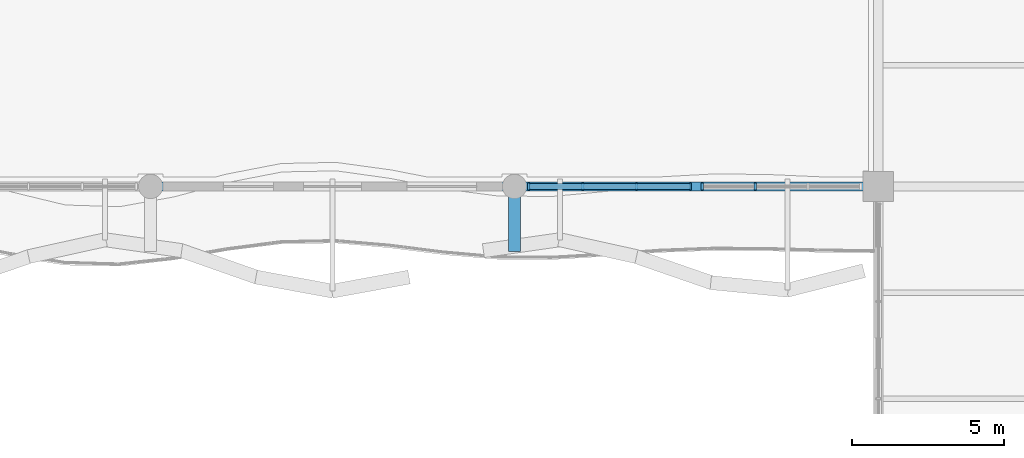
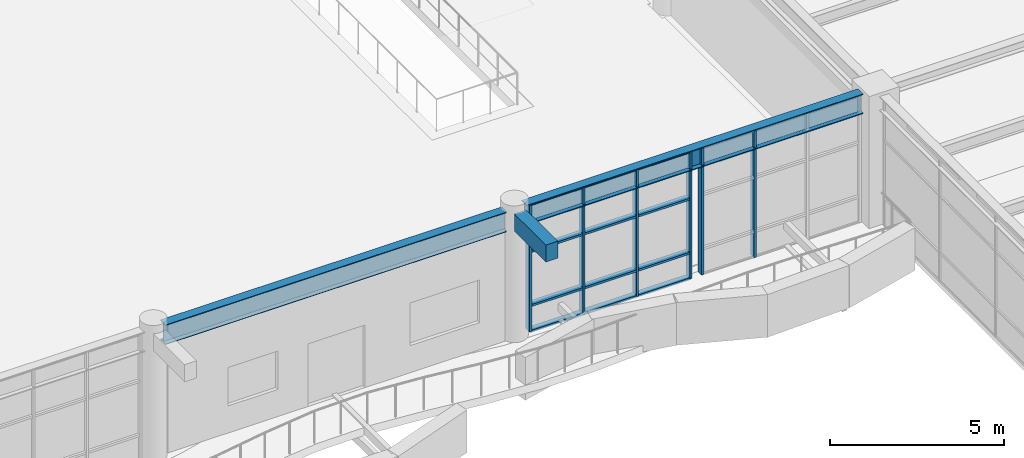
# One storey, part 17 of 72: 10 members, 3 beams, 2 elements without a shape of their own.
"""IFC4 building model written with IfcOpenShell, lengths in metres."""

from ifc_helpers import new_model, si_unit, direction, frame, origin, origin_2d, place, context, subcontext, project, spatial, rectangle, i_section, extrude, material, layer, layer_set, material_profile, profile_set, type_object, element, aggregate, save


model = new_model("IFC4")

# Units and contexts
model_context = context("Model", 3, precision=1e-05, world=origin(), true_north=direction((0.0, 1.0)))
body_context = subcontext(model_context, "Body", "Model", "MODEL_VIEW")
ifc_project = project(units=[si_unit("LENGTHUNIT", "METRE"), si_unit("AREAUNIT", "SQUARE_METRE"), si_unit("VOLUMEUNIT", "CUBIC_METRE"), si_unit("PLANEANGLEUNIT", "RADIAN"), si_unit("MASSUNIT", "GRAM", prefix="KILO")], contexts=[model_context])

# Site, building, storey
site_placement = place(None, origin())
site = spatial("IfcSite", under=ifc_project, at=site_placement, CompositionType="ELEMENT")
building_placement = place(site_placement, origin())
building = spatial("IfcBuilding", under=site, at=building_placement, Name="Keelwater Ferry Terminal", CompositionType="ELEMENT")
storey_placement = place(building_placement, frame((0.0, 0.0, 5.39990234375)))
storey = spatial("IfcBuildingStorey", under=building, at=storey_placement, Name="L01", CompositionType="ELEMENT", Elevation=5.39990234375)

# Curtain wall, members
ifc_material_1 = material(Name="Thermally broken unitised aluminium and triple glass", Category="aluminium")
ifc_layer_1 = layer(ifc_material_1, 0.179931640625)
ifc_layer_set_1 = layer_set([ifc_layer_1], Name="Thermally broken unitised aluminium and triple glass")
curtain_wall_type_1 = type_object("IfcCurtainWallType", Name="CW-02 Unitised Curtain Wall 5330x4450", PredefinedType="USERDEFINED", material=ifc_layer_set_1)
curtain_wall_1_placement = place(storey_placement, origin())
curtain_wall_1 = element("IfcCurtainWall", 1, at=curtain_wall_1_placement, inside=storey, type_object=curtain_wall_type_1, Name="Unitised Curtain Wall CW-L01-009", ObjectType="UNITISED CURTAIN WALL", PredefinedType="USERDEFINED")
ifc_material_2 = material(Name="Aluminium mullion", Category="aluminium")
ifc_material_profile_1 = material_profile(ifc_material_2, rectangle(XDim=0.074951171875, YDim=0.219970703125, at=origin_2d()), Name="CWM-02")
ifc_profile_set_1 = profile_set([ifc_material_profile_1], Name="Aluminium mullion")
member_type_1 = type_object("IfcMemberType", Name="CWM-02 Curtain Mullion 75x220", PredefinedType="MULLION", material=ifc_profile_set_1)
member_1_placement = place(storey_placement, frame((120.47509765625, 42.0, 0.0), z_axis=(0.0, 0.0, 1.0), x_axis=(1.0, 0.0, 0.0)))
member_1 = element("IfcMember", 2, at=member_1_placement, type_object=member_type_1, Name="CW-L01-009 Mullion 1", PredefinedType="MULLION", context=body_context, shape_type="SweptSolid", body=[
    extrude(rectangle(XDim=0.074951171875, YDim=0.219970703125, at=origin_2d()), origin(), (0.0, 0.0, 1.0), 4.4501953125),
])
member_2_placement = place(storey_placement, frame((122.251708984375, 42.0, 0.0), z_axis=(0.0, 0.0, 1.0), x_axis=(1.0, 0.0, 0.0)))
member_2 = element("IfcMember", 3, at=member_2_placement, type_object=member_type_1, Name="CW-L01-009 Mullion 2", PredefinedType="MULLION", context=body_context, shape_type="SweptSolid", body=[
    extrude(rectangle(XDim=0.074951171875, YDim=0.219970703125, at=origin_2d()), origin(), (0.0, 0.0, 1.0), 4.4501953125),
])
member_3_placement = place(storey_placement, frame((124.0283203125, 42.0, 0.0), z_axis=(0.0, 0.0, 1.0), x_axis=(1.0, 0.0, 0.0)))
member_3 = element("IfcMember", 4, at=member_3_placement, type_object=member_type_1, Name="CW-L01-009 Mullion 3", PredefinedType="MULLION", context=body_context, shape_type="SweptSolid", body=[
    extrude(rectangle(XDim=0.074951171875, YDim=0.219970703125, at=origin_2d()), origin(), (0.0, 0.0, 1.0), 4.4501953125),
])
member_4_placement = place(storey_placement, frame((125.804931640625, 42.0, 0.0), z_axis=(0.0, 0.0, 1.0), x_axis=(1.0, 0.0, 0.0)))
member_4 = element("IfcMember", 5, at=member_4_placement, type_object=member_type_1, Name="CW-L01-009 Mullion 4", PredefinedType="MULLION", context=body_context, shape_type="SweptSolid", body=[
    extrude(rectangle(XDim=0.074951171875, YDim=0.219970703125, at=origin_2d()), origin(), (0.0, 0.0, 1.0), 4.4501953125),
])

ifc_material_3 = material(Name="Thermally broken unitised aluminium and triple glass", Category="aluminium")
ifc_layer_2 = layer(ifc_material_3, 0.179931640625)
ifc_layer_set_2 = layer_set([ifc_layer_2], Name="Thermally broken unitised aluminium and triple glass")
curtain_wall_type_2 = type_object("IfcCurtainWallType", Name="CW-01 Unitised Curtain Wall 5230x4450", PredefinedType="USERDEFINED", material=ifc_layer_set_2)
curtain_wall_2_placement = place(storey_placement, origin())
curtain_wall_2 = element("IfcCurtainWall", 6, at=curtain_wall_2_placement, inside=storey, type_object=curtain_wall_type_2, Name="Unitised Curtain Wall CW-L01-010", ObjectType="UNITISED CURTAIN WALL", PredefinedType="USERDEFINED")
member_5_placement = place(storey_placement, frame((126.195068359375, 42.0, 0.0), z_axis=(0.0, 0.0, 1.0), x_axis=(1.0, 0.0, 0.0)))
member_5 = element("IfcMember", 7, at=member_5_placement, type_object=member_type_1, Name="CW-L01-010 Mullion 1", PredefinedType="MULLION", context=body_context, shape_type="SweptSolid", body=[
    extrude(rectangle(XDim=0.074951171875, YDim=0.219970703125, at=origin_2d()), origin(), (0.0, 0.0, 1.0), 4.4501953125),
])
member_6_placement = place(storey_placement, frame((127.938232421875, 42.0, 0.0), z_axis=(0.0, 0.0, 1.0), x_axis=(1.0, 0.0, 0.0)))
member_6 = element("IfcMember", 8, at=member_6_placement, type_object=member_type_1, Name="CW-L01-010 Mullion 2", PredefinedType="MULLION", context=body_context, shape_type="SweptSolid", body=[
    extrude(rectangle(XDim=0.074951171875, YDim=0.219970703125, at=origin_2d()), origin(), (0.0, 0.0, 1.0), 4.4501953125),
])
aggregate(curtain_wall_2, [member_5, member_6])

# Member
ifc_material_4 = material(Name="Aluminium mullion", Category="aluminium")
ifc_material_profile_2 = material_profile(ifc_material_4, rectangle(XDim=0.199951171875, YDim=0.074951171875, at=origin_2d()), Name="CWT-02")
ifc_profile_set_2 = profile_set([ifc_material_profile_2], Name="Aluminium mullion")
member_type_2 = type_object("IfcMemberType", Name="CWT-02 Curtain Transom 75x200", PredefinedType="USERDEFINED", material=ifc_profile_set_2)
member_7_placement = place(storey_placement, frame((120.47509765625, 42.0, 0.0), z_axis=(1.0, 0.0, 0.0), x_axis=(0.0, 1.0, 0.0)))
member_7 = element("IfcMember", 9, at=member_7_placement, type_object=member_type_2, Name="CW-L01-009 Transom 1", ObjectType="TRANSOM", PredefinedType="USERDEFINED", context=body_context, shape_type="SweptSolid", body=[
    extrude(rectangle(XDim=0.199951171875, YDim=0.074951171875, at=origin_2d()), origin(), (0.0, 0.0, 1.0), 5.329833984375),
])

member_8_placement = place(storey_placement, frame((120.47509765625, 42.0, 0.900146484375), z_axis=(1.0, 0.0, 0.0), x_axis=(0.0, 1.0, 0.0)))
member_8 = element("IfcMember", 10, at=member_8_placement, type_object=member_type_2, Name="CW-L01-009 Transom 2", ObjectType="TRANSOM", PredefinedType="USERDEFINED", context=body_context, shape_type="SweptSolid", body=[
    extrude(rectangle(XDim=0.199951171875, YDim=0.074951171875, at=origin_2d()), origin(), (0.0, 0.0, 1.0), 5.329833984375),
])

member_9_placement = place(storey_placement, frame((120.47509765625, 42.0, 2.800048828125), z_axis=(1.0, 0.0, 0.0), x_axis=(0.0, 1.0, 0.0)))
member_9 = element("IfcMember", 11, at=member_9_placement, type_object=member_type_2, Name="CW-L01-009 Transom 3", ObjectType="TRANSOM", PredefinedType="USERDEFINED", context=body_context, shape_type="SweptSolid", body=[
    extrude(rectangle(XDim=0.199951171875, YDim=0.074951171875, at=origin_2d()), origin(), (0.0, 0.0, 1.0), 5.329833984375),
])

member_10_placement = place(storey_placement, frame((120.47509765625, 42.0, 4.4501953125), z_axis=(1.0, 0.0, 0.0), x_axis=(0.0, 1.0, 0.0)))
member_10 = element("IfcMember", 12, at=member_10_placement, type_object=member_type_2, Name="CW-L01-009 Transom 4", ObjectType="TRANSOM", PredefinedType="USERDEFINED", context=body_context, shape_type="SweptSolid", body=[
    extrude(rectangle(XDim=0.199951171875, YDim=0.074951171875, at=origin_2d()), origin(), (0.0, 0.0, 1.0), 5.329833984375),
])

aggregate(curtain_wall_1, [member_1, member_2, member_3, member_4, member_7, member_8, member_9, member_10])

# Beams
ifc_material_5 = material(Name="Concrete C45/55", Category="concrete")
ifc_material_profile_3 = material_profile(ifc_material_5, rectangle(XDim=0.39990234375, YDim=0.60009765625, at=origin_2d()), Name="RC 400x600")
ifc_profile_set_3 = profile_set([ifc_material_profile_3], Name="Concrete C45/55")
beam_type_1 = type_object("IfcBeamType", Name="G11E RC 400x600", PredefinedType="BEAM", material=ifc_profile_set_3)
beam_1_placement = place(storey_placement, frame((120.0, 41.672119140625, 4.22021484375), z_axis=(0.0, -1.0, 0.0), x_axis=(1.0, 0.0, 0.0)))
element("IfcBeam", 13, at=beam_1_placement, inside=storey, type_object=beam_type_1, Name="Beam BM-L01-0961", PredefinedType="BEAM", context=body_context, shape_type="SweptSolid", body=[
    extrude(rectangle(XDim=0.39990234375, YDim=0.60009765625, at=origin_2d()), origin(), (0.0, 0.0, 1.0), 1.822021484375),
])
ifc_material_6 = material(Name="Steel S355", Category="steel")
ifc_material_profile_4 = material_profile(ifc_material_6, i_section(OverallWidth=0.300048828125, OverallDepth=0.699951171875, WebThickness=0.01708984375, FlangeThickness=0.031982421875, at=origin_2d()), Name="HEB 700")
ifc_profile_set_4 = profile_set([ifc_material_profile_4], Name="Steel S355")
beam_type_2 = type_object("IfcBeamType", Name="G2E HEB 700", PredefinedType="BEAM", material=ifc_profile_set_4)
beam_2_placement = place(storey_placement, frame((108.327880859375, 42.0, 4.170166015625), z_axis=(1.0, 0.0, 0.0), x_axis=(0.0, 1.0, 0.0)))
element("IfcBeam", 14, at=beam_2_placement, inside=storey, type_object=beam_type_2, Name="Beam BM-L01-0629", PredefinedType="BEAM", context=body_context, shape_type="SweptSolid", body=[
    extrude(i_section(OverallWidth=0.300048828125, OverallDepth=0.699951171875, WebThickness=0.01708984375, FlangeThickness=0.031982421875, at=origin_2d()), origin(), (0.0, 0.0, 1.0), 11.34423828125),
])
beam_3_placement = place(storey_placement, frame((120.327880859375, 42.0, 4.170166015625), z_axis=(1.0, 0.0, 0.0), x_axis=(0.0, 1.0, 0.0)))
element("IfcBeam", 15, at=beam_3_placement, inside=storey, type_object=beam_type_2, Name="Beam BM-L01-0630", PredefinedType="BEAM", context=body_context, shape_type="SweptSolid", body=[
    extrude(i_section(OverallWidth=0.300048828125, OverallDepth=0.699951171875, WebThickness=0.01708984375, FlangeThickness=0.031982421875, at=origin_2d()), origin(), (0.0, 0.0, 1.0), 11.18212890625),
])

save(model, "model.ifc")
